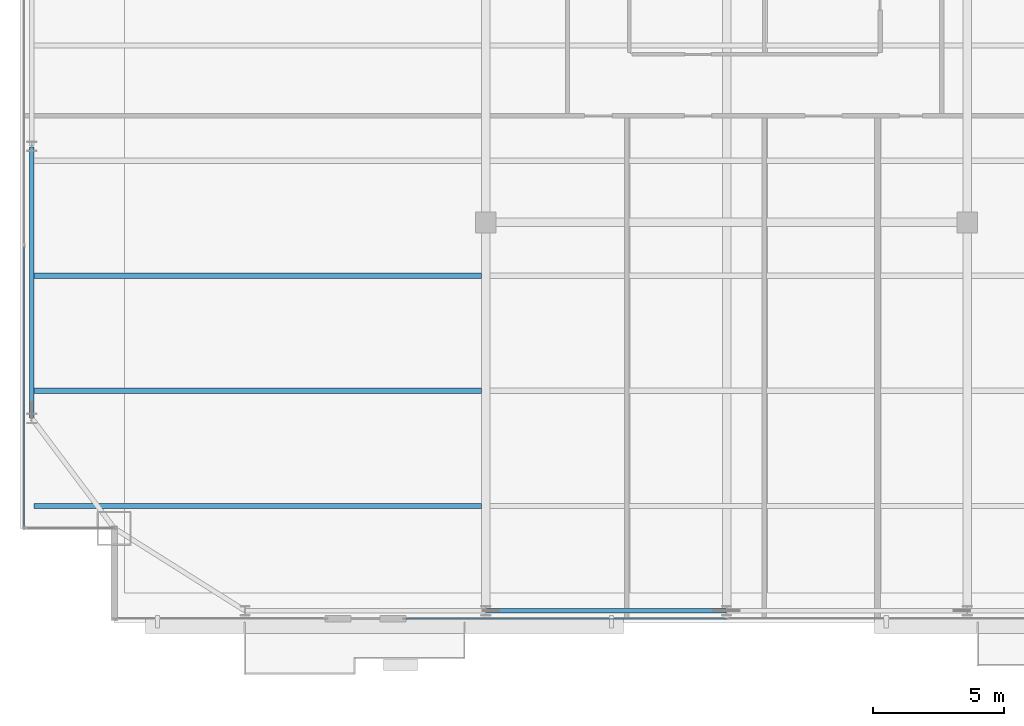
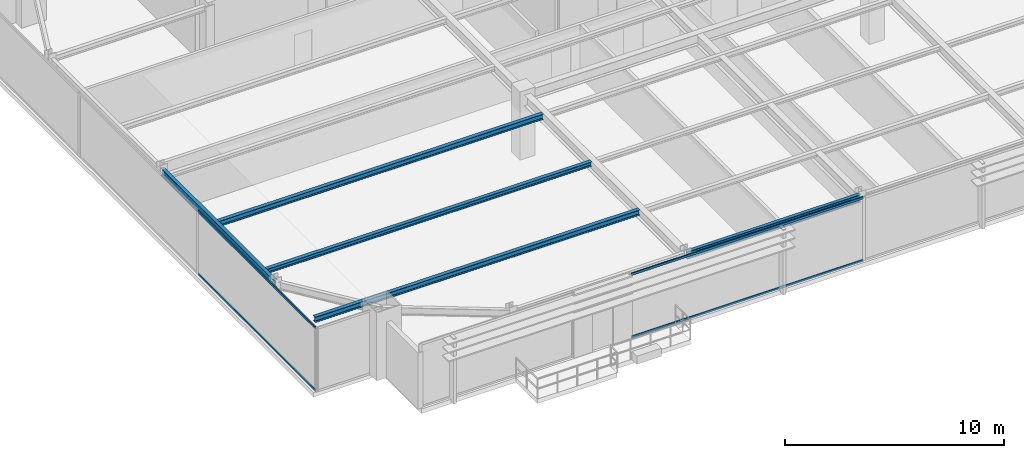
# One storey, part 7 of 31: 5 beams, 4 members, 2 elements without a shape of their own.
"""IFC4 building model written with IfcOpenShell, lengths in metres."""

from ifc_helpers import new_model, si_unit, direction, frame, origin, origin_2d, place, context, subcontext, project, spatial, hollow_rectangle, i_section, extrude, source, transform, mapped, material, layer, layer_set, material_profile, profile_set, type_object, type_shapes, element, aggregate, save


model = new_model("IFC4")

# Units and contexts
model_context = context("Model", 3, precision=1e-05, world=origin(), true_north=direction((0.0, 1.0)))
body_context = subcontext(model_context, "Body", "Model", "MODEL_VIEW")
ifc_project = project(units=[si_unit("LENGTHUNIT", "METRE"), si_unit("AREAUNIT", "SQUARE_METRE"), si_unit("VOLUMEUNIT", "CUBIC_METRE"), si_unit("PLANEANGLEUNIT", "RADIAN"), si_unit("MASSUNIT", "GRAM", prefix="KILO")], contexts=[model_context])

# Site, building, storey
site_placement = place(None, origin())
site = spatial("IfcSite", under=ifc_project, at=site_placement, CompositionType="ELEMENT")
building_placement = place(site_placement, origin())
building = spatial("IfcBuilding", under=site, at=building_placement, Name="Varnel Quay Broadcast Tower", CompositionType="ELEMENT")
storey_placement = place(building_placement, frame((0.0, 0.0, 157.199951171875)))
storey = spatial("IfcBuildingStorey", under=building, at=storey_placement, Name="L38", CompositionType="ELEMENT", Elevation=157.199951171875)

# Beams
ifc_material_1 = material(Name="Structural Steel CSA G40.21 350W", Category="steel")
ifc_material_profile_1 = material_profile(ifc_material_1, i_section(OverallWidth=0.180908203125, OverallDepth=0.4169921875, WebThickness=0.010986328125, FlangeThickness=0.018310546875, FilletRadius=0.011962890625, at=origin_2d()), Name="W410X85")
ifc_profile_set_1 = profile_set([ifc_material_profile_1], Name="Structural Steel CSA G40.21 350W")
beam_type_1 = type_object("IfcBeamType", Name="Beam_W410X85", PredefinedType="SPANDREL", material=ifc_profile_set_1)
shared_shape_1 = source(origin(), body_context, "Body", "SweptSolid", [
    extrude(i_section(OverallWidth=0.180908203125, OverallDepth=0.4169921875, WebThickness=0.010986328125, FlangeThickness=0.018310546875, FilletRadius=0.011962890625, at=origin_2d()), origin(), (0.0, 0.0, 1.0), 9.159912109375),
])
beam_1_placement = place(storey_placement, frame((24.820068359375, 7.64990234375, 3.341552734375), z_axis=(1.0, 0.0, 0.0), x_axis=(0.0, 1.0, 0.0)))
element("IfcBeam", 1, at=beam_1_placement, inside=storey, type_object=beam_type_1, Name="L38 South Spandrel TC-S2-TC-S3", PredefinedType="SPANDREL", context=body_context, shape_type="MappedRepresentation", body=[
    mapped(shared_shape_1, transform((0.0, 0.0, 0.0), x_axis=(1.0, 0.0, 0.0), y_axis=(0.0, 1.0, 0.0), z_axis=(0.0, 0.0, 1.0), scale=1.0)),
])
shared_shape_2 = source(origin(), body_context, "Body", "SweptSolid", [
    extrude(i_section(OverallWidth=0.180908203125, OverallDepth=0.4169921875, WebThickness=0.010986328125, FlangeThickness=0.018310546875, FilletRadius=0.011962890625, at=origin_2d()), origin(), (0.0, 0.0, 1.0), 10.35986328125),
])
type_shapes(beam_type_1, [shared_shape_1, shared_shape_2])
beam_2_placement = place(storey_placement, frame((7.449951171875, 15.02001953125, 3.341552734375), z_axis=(0.0, 1.0, 0.0), x_axis=(-1.0, 0.0, 0.0)))
element("IfcBeam", 2, at=beam_2_placement, inside=storey, type_object=beam_type_1, Name="L38 West Spandrel TC-W1-TC-W2", PredefinedType="SPANDREL", context=body_context, shape_type="MappedRepresentation", body=[
    mapped(shared_shape_2, transform((0.0, 0.0, 0.0), x_axis=(1.0, 0.0, 0.0), y_axis=(0.0, 1.0, 0.0), z_axis=(0.0, 0.0, 1.0), scale=1.0)),
])
ifc_material_profile_2 = material_profile(ifc_material_1, i_section(OverallWidth=0.202880859375, OverallDepth=0.302978515625, WebThickness=0.007568359375, FlangeThickness=0.01318359375, FilletRadius=0.011962890625, at=origin_2d()), Name="W310X60")
ifc_profile_set_2 = profile_set([ifc_material_profile_2], Name="Structural Steel CSA G40.21 350W")
beam_type_2 = type_object("IfcBeamType", Name="Beam_W310X60", PredefinedType="JOIST", material=ifc_profile_set_2)
shared_shape_3 = source(origin(), body_context, "Body", "SweptSolid", [
    extrude(i_section(OverallWidth=0.202880859375, OverallDepth=0.302978515625, WebThickness=0.007568359375, FlangeThickness=0.01318359375, FilletRadius=0.011962890625, at=origin_2d()), origin(), (0.0, 0.0, 1.0), 17.107177734375),
])
type_shapes(beam_type_2, [shared_shape_3])
for number, where, z_axis, x_axis, name in (
    (3, (7.535400390625, 11.64990234375, 3.3984375), (1.0, 0.0, 0.0), (0.0, 1.0, 0.0), "L38 West Floor Joist 1"),
    (4, (7.535400390625, 20.449951171875, 3.3984375), (1.0, 0.0, 0.0), (0.0, 1.0, 0.0), "L38 West Floor Joist 3"),
):
    element("IfcBeam", number, at=place(storey_placement, frame(where, z_axis=z_axis, x_axis=x_axis)), inside=storey, type_object=beam_type_2, Name=name, PredefinedType="JOIST", context=body_context, shape_type="MappedRepresentation", body=[
        mapped(shared_shape_3, transform((0.0, 0.0, 0.0), x_axis=(1.0, 0.0, 0.0), y_axis=(0.0, 1.0, 0.0), z_axis=(0.0, 0.0, 1.0), scale=1.0)),
    ])
ifc_material_profile_3 = material_profile(ifc_material_1, i_section(OverallWidth=0.201904296875, OverallDepth=0.2470703125, WebThickness=0.00732421875, FlangeThickness=0.010986328125, FilletRadius=0.010986328125, at=origin_2d()), Name="W250X49")
ifc_profile_set_3 = profile_set([ifc_material_profile_3], Name="Structural Steel CSA G40.21 350W")
beam_type_3 = type_object("IfcBeamType", Name="Beam_W250X49", PredefinedType="JOIST", material=ifc_profile_set_3)
shared_shape_4 = source(origin(), body_context, "Body", "SweptSolid", [
    extrude(i_section(OverallWidth=0.201904296875, OverallDepth=0.2470703125, WebThickness=0.00732421875, FlangeThickness=0.010986328125, FilletRadius=0.010986328125, at=origin_2d()), origin(), (0.0, 0.0, 1.0), 17.107177734375),
])
type_shapes(beam_type_3, [shared_shape_4])
beam_3_placement = place(storey_placement, frame((7.535400390625, 16.050048828125, 3.426513671875), z_axis=(1.0, 0.0, 0.0), x_axis=(0.0, 1.0, 0.0)))
element("IfcBeam", 5, at=beam_3_placement, inside=storey, type_object=beam_type_3, Name="L38 West Floor Joist 2", PredefinedType="JOIST", context=body_context, shape_type="MappedRepresentation", body=[
    mapped(shared_shape_4, transform((0.0, 0.0, 0.0), x_axis=(1.0, 0.0, 0.0), y_axis=(0.0, 1.0, 0.0), z_axis=(0.0, 0.0, 1.0), scale=1.0)),
])

# Curtain wall, members
ifc_material_2 = material(Name="Anodised Bronze Aluminium 6063-T6", Category="aluminium")
ifc_layer = layer(ifc_material_2, 0.18994140625, Name="Anodised Bronze Aluminium 6063-T6")
ifc_layer_set = layer_set([ifc_layer], Name="Anodised Bronze Aluminium 6063-T6")
curtain_wall_type = type_object("IfcCurtainWallType", Name="CW_UpperTower", PredefinedType="NOTDEFINED", material=ifc_layer_set)
curtain_wall_1_placement = place(storey_placement, origin())
curtain_wall_1 = element("IfcCurtainWall", 6, at=curtain_wall_1_placement, inside=storey, type_object=curtain_wall_type, Name="L38 West Unitised Curtain Wall", PredefinedType="NOTDEFINED")
ifc_material_profile_4 = material_profile(ifc_material_2, hollow_rectangle(XDim=0.06005859375, YDim=0.125, WallThickness=0.0029296875, at=origin_2d()), Name="ALU60X125X3")
ifc_profile_set_4 = profile_set([ifc_material_profile_4], Name="Anodised Bronze Aluminium 6063-T6")
member_type = type_object("IfcMemberType", Name="Tran_CWS-03", PredefinedType="USERDEFINED", material=ifc_profile_set_4)
shared_shape_5 = source(origin(), body_context, "Body", "SweptSolid", [
    extrude(hollow_rectangle(XDim=0.06005859375, YDim=0.125, WallThickness=0.0029296875, at=origin_2d()), origin(), (0.0, 0.0, 1.0), 10.702392578125),
])
member_1_placement = place(storey_placement, frame((7.14990234375, 10.864990234375, 0.030029296875), z_axis=(0.0, 1.0, 0.0), x_axis=(-1.0, 0.0, 0.0)))
member_1 = element("IfcMember", 7, at=member_1_placement, type_object=member_type, Name="CWS-03 transom 1.1", ObjectType="TRANSOM", PredefinedType="USERDEFINED", context=body_context, shape_type="MappedRepresentation", body=[
    mapped(shared_shape_5, transform((0.0, 0.0, 0.0), x_axis=(1.0, 0.0, 0.0), y_axis=(0.0, 1.0, 0.0), z_axis=(0.0, 0.0, 1.0), scale=1.0)),
])
member_2_placement = place(storey_placement, frame((7.14990234375, 10.864990234375, 3.52001953125), z_axis=(0.0, 1.0, 0.0), x_axis=(-1.0, 0.0, 0.0)))
member_2 = element("IfcMember", 8, at=member_2_placement, type_object=member_type, Name="CWS-03 transom 1.2", ObjectType="TRANSOM", PredefinedType="USERDEFINED", context=body_context, shape_type="MappedRepresentation", body=[
    mapped(shared_shape_5, transform((0.0, 0.0, 0.0), x_axis=(1.0, 0.0, 0.0), y_axis=(0.0, 1.0, 0.0), z_axis=(0.0, 0.0, 1.0), scale=1.0)),
])
aggregate(curtain_wall_1, [member_1, member_2])

curtain_wall_2_placement = place(storey_placement, origin())
curtain_wall_2 = element("IfcCurtainWall", 9, at=curtain_wall_2_placement, inside=storey, type_object=curtain_wall_type, Name="L38 South Unitised Curtain Wall 2", PredefinedType="NOTDEFINED")
shared_shape_6 = source(origin(), body_context, "Body", "SweptSolid", [
    extrude(hollow_rectangle(XDim=0.06005859375, YDim=0.125, WallThickness=0.0029296875, at=origin_2d()), origin(), (0.0, 0.0, 1.0), 12.222412109375),
])
type_shapes(member_type, [shared_shape_5, shared_shape_6])
member_3_placement = place(storey_placement, frame((21.7451171875, 7.35009765625, 0.030029296875), z_axis=(1.0, 0.0, 0.0), x_axis=(0.0, 1.0, 0.0)))
member_3 = element("IfcMember", 10, at=member_3_placement, type_object=member_type, Name="CWS-03 transom 1.1", ObjectType="TRANSOM", PredefinedType="USERDEFINED", context=body_context, shape_type="MappedRepresentation", body=[
    mapped(shared_shape_6, transform((0.0, 0.0, 0.0), x_axis=(1.0, 0.0, 0.0), y_axis=(0.0, 1.0, 0.0), z_axis=(0.0, 0.0, 1.0), scale=1.0)),
])
member_4_placement = place(storey_placement, frame((21.7451171875, 7.35009765625, 3.52001953125), z_axis=(1.0, 0.0, 0.0), x_axis=(0.0, 1.0, 0.0)))
member_4 = element("IfcMember", 11, at=member_4_placement, type_object=member_type, Name="CWS-03 transom 1.2", ObjectType="TRANSOM", PredefinedType="USERDEFINED", context=body_context, shape_type="MappedRepresentation", body=[
    mapped(shared_shape_6, transform((0.0, 0.0, 0.0), x_axis=(1.0, 0.0, 0.0), y_axis=(0.0, 1.0, 0.0), z_axis=(0.0, 0.0, 1.0), scale=1.0)),
])
aggregate(curtain_wall_2, [member_3, member_4])

save(model, "model.ifc")
